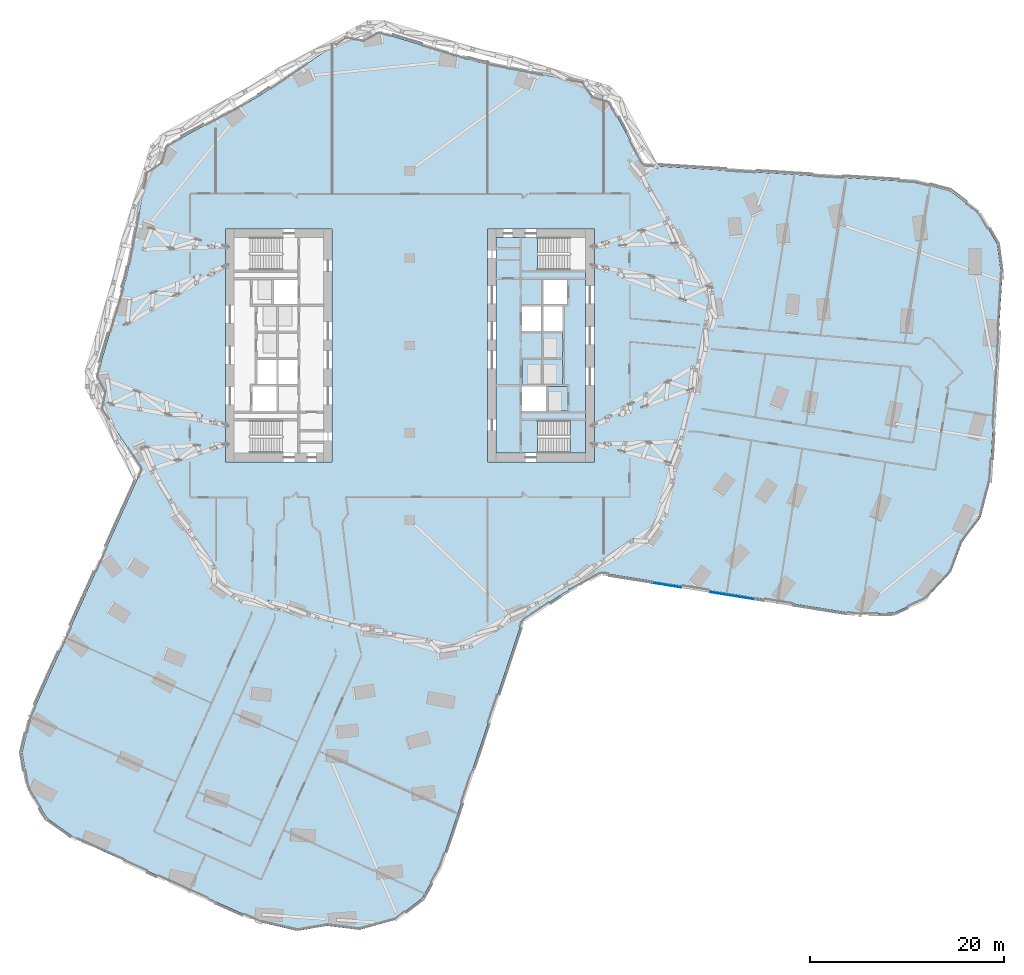
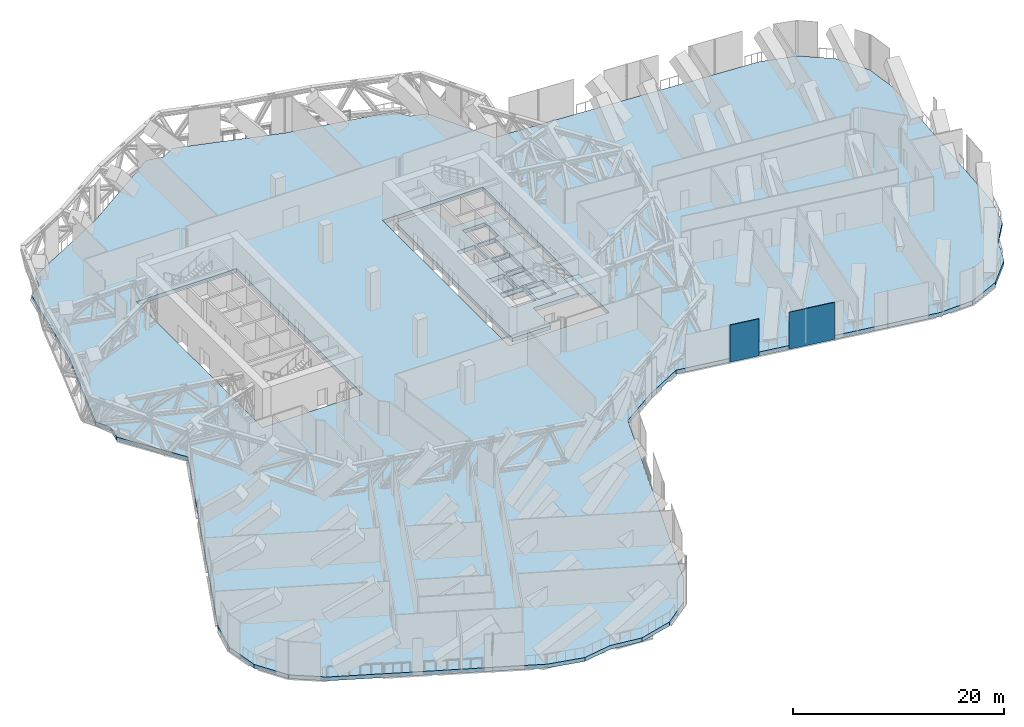
# One storey, part 23 of 39: 7 slabs, 2 plates, 2 elements without a shape of their own.
"""IFC4 building model written with IfcOpenShell, lengths in metres."""

from ifc_helpers import new_model, si_unit, direction, frame, origin, origin_2d, place, context, subcontext, project, spatial, polyline, rectangle, outline, extrude, material, layer, layer_set, type_object, element, aggregate, save


model = new_model("IFC4")

# Units and contexts
model_context = context("Model", 3, precision=1e-05, world=origin(), true_north=direction((0.0, 1.0)))
body_context = subcontext(model_context, "Body", "Model", "MODEL_VIEW")
ifc_project = project(units=[si_unit("LENGTHUNIT", "METRE"), si_unit("AREAUNIT", "SQUARE_METRE"), si_unit("VOLUMEUNIT", "CUBIC_METRE"), si_unit("PLANEANGLEUNIT", "RADIAN"), si_unit("MASSUNIT", "GRAM", prefix="KILO")], contexts=[model_context])

# Site, building, storey
site_placement = place(None, origin())
site = spatial("IfcSite", under=ifc_project, at=site_placement, CompositionType="ELEMENT")
building_placement = place(site_placement, origin())
building = spatial("IfcBuilding", under=site, at=building_placement, Name="Orlundy Tower", CompositionType="ELEMENT")
storey_placement = place(building_placement, frame((0.0, 0.0, 141.199951171875)))
storey = spatial("IfcBuildingStorey", under=building, at=storey_placement, Name="L36", CompositionType="ELEMENT", Elevation=141.199951171875)

# Curtain wall, plates
ifc_material_1 = material(Name="Aluminium bronze anodised", Category="aluminium")
curtain_wall_type = type_object("IfcCurtainWallType", Name="CW4 wall", PredefinedType="NOTDEFINED", material=ifc_material_1)
curtain_wall_placement = place(storey_placement, origin())
curtain_wall = element("IfcCurtainWall", 1, at=curtain_wall_placement, inside=storey, type_object=curtain_wall_type, Name="CW4 run 041", PredefinedType="NOTDEFINED")
ifc_material_2 = material(Name="Louvre aluminium bronze anodised", Category="aluminium")
ifc_layer_1 = layer(ifc_material_2, 0.06005859375)
ifc_layer_set_1 = layer_set([ifc_layer_1], Name="CW4 louvre panel 60")
plate_type = type_object("IfcPlateType", Name="CW4 louvre panel 60", PredefinedType="CURTAIN_PANEL", material=ifc_layer_set_1)
plate_1_placement = place(storey_placement, frame((33.255126953125, -25.79736328125, -0.2998046875), z_axis=(0.0, 0.0, 1.0), x_axis=(-0.987228432558, 0.159311085453, 0.0)))
plate_1 = element("IfcPlate", 2, at=plate_1_placement, type_object=plate_type, Name="CW4 louvre", PredefinedType="CURTAIN_PANEL", context=body_context, shape_type="SweptSolid", body=[
    extrude(rectangle(XDim=4.631591796875, YDim=0.06005859375, at=origin_2d()), origin(), (0.0, 0.0, 1.0), 4.300048828125),
])
plate_2_placement = place(storey_placement, frame((26.49267578125, -24.7060546875, -0.2998046875), z_axis=(0.0, 0.0, 1.0), x_axis=(-0.987228432558, 0.159311085453, 0.0)))
plate_2 = element("IfcPlate", 3, at=plate_2_placement, type_object=plate_type, Name="CW4 louvre", PredefinedType="CURTAIN_PANEL", context=body_context, shape_type="SweptSolid", body=[
    extrude(rectangle(XDim=2.975341796875, YDim=0.06005859375, at=origin_2d()), origin(), (0.0, 0.0, 1.0), 4.300048828125),
])
aggregate(curtain_wall, [plate_1, plate_2])

# Slab
ifc_material_3 = material(Name="Concrete C50/60", Category="concrete")
ifc_layer_2 = layer(ifc_material_3, 0.449951171875)
ifc_layer_set_2 = layer_set([ifc_layer_2], Name="Core Floor Slab 450")
slab_type_1 = type_object("IfcSlabType", Name="Core Floor Slab 450", PredefinedType="FLOOR", material=ifc_layer_set_2)
slab_1_placement = place(storey_placement, frame((0.0, 0.0, -0.449951171875)))
element("IfcSlab", 4, at=slab_1_placement, inside=storey, type_object=slab_type_1, Name="Core floor E27", PredefinedType="FLOOR", context=body_context, shape_type="SweptSolid", body=[
    extrude(outline(polyline([(18.10009765625, -7.75), (13.14501953125, -7.75), (13.14501953125, -11.10009765625), (8.89990234375, -11.10009765625), (8.89990234375, 11.10009765625), (13.14501953125, 11.10009765625), (13.14501953125, 7.75), (18.10009765625, 7.75), (18.10009765625, -7.75)]), holes=[polyline([(16.239990234375, 4.22509765625), (16.239990234375, 6.77490234375), (13.739990234375, 6.77490234375), (13.739990234375, 4.22509765625), (16.239990234375, 4.22509765625)]), polyline([(11.5400390625, 1.47509765625), (13.5400390625, 1.47509765625), (13.5400390625, 4.02490234375), (11.5400390625, 4.02490234375), (11.5400390625, 1.47509765625)]), polyline([(13.739990234375, 4.02490234375), (13.739990234375, 1.47509765625), (15.739990234375, 1.47509765625), (15.739990234375, 4.02490234375), (13.739990234375, 4.02490234375)]), polyline([(15.739990234375, 1.27490234375), (13.739990234375, 1.27490234375), (13.739990234375, -1.27490234375), (15.739990234375, -1.27490234375), (15.739990234375, 1.27490234375)]), polyline([(13.5400390625, -4.02490234375), (13.5400390625, -1.47509765625), (11.5400390625, -1.47509765625), (11.5400390625, -4.02490234375), (13.5400390625, -4.02490234375)]), polyline([(13.739990234375, -4.02490234375), (15.739990234375, -4.02490234375), (15.739990234375, -1.47509765625), (13.739990234375, -1.47509765625), (13.739990234375, -4.02490234375)]), polyline([(11.5400390625, -4.22509765625), (11.5400390625, -6.77490234375), (14.0400390625, -6.77490234375), (14.0400390625, -4.22509765625), (11.5400390625, -4.22509765625)]), polyline([(16.239990234375, -4.22509765625), (14.239990234375, -4.22509765625), (14.239990234375, -6.77490234375), (16.239990234375, -6.77490234375), (16.239990234375, -4.22509765625)])]), origin(), (0.0, 0.0, 1.0), 0.449951171875),
])

# Stair, slab
ifc_material_4 = material(Name="Concrete C50/60", Category="concrete")
stair_type = type_object("IfcStairType", Name="Exit Stair 26 risers", PredefinedType="HALF_TURN_STAIR", material=ifc_material_4)
stair_placement = place(storey_placement, origin())
stair = element("IfcStair", 5, at=stair_placement, inside=storey, type_object=stair_type, Name="L36 Exit Stair ST-E1", PredefinedType="HALF_TURN_STAIR")
ifc_material_5 = material(Name="Concrete C50/60", Category="concrete")
ifc_layer_3 = layer(ifc_material_5, 0.199951171875)
ifc_layer_set_3 = layer_set([ifc_layer_3], Name="Exit Stair Landing")
slab_type_2 = type_object("IfcSlabType", Name="Exit Stair Landing", PredefinedType="LANDING", material=ifc_layer_set_3)
slab_2_placement = place(storey_placement, frame((0.0, 0.0, 2.0)))
slab_2 = element("IfcSlab", 6, at=slab_2_placement, type_object=slab_type_2, Name="ST-E1 landing 1", PredefinedType="LANDING", context=body_context, shape_type="SweptSolid", body=[
    extrude(outline(polyline([(16.5, -11.10009765625), (18.10009765625, -11.10009765625), (18.10009765625, -7.75), (16.5, -7.75), (16.5, -11.10009765625)])), origin(), (0.0, 0.0, 1.0), 0.199951171875),
])
aggregate(stair, [slab_2])

# Slabs
ifc_material_6 = material(Name="Concrete C50/60", Category="concrete")
ifc_layer_4 = layer(ifc_material_6, 0.25)
ifc_layer_set_4 = layer_set([ifc_layer_4], Name="Lift Pit Slab")
slab_type_3 = type_object("IfcSlabType", Name="Lift Pit Slab", PredefinedType="BASESLAB", material=ifc_layer_set_4)
slab_3_placement = place(storey_placement, frame((0.0, 0.0, -0.75)))
element("IfcSlab", 7, at=slab_3_placement, inside=storey, type_object=slab_type_3, Name="Lift pit floor LP-15", PredefinedType="BASESLAB", context=body_context, shape_type="SweptSolid", body=[
    extrude(outline(polyline([(13.739990234375, 1.27490234375), (15.739990234375, 1.27490234375), (15.739990234375, -1.27490234375), (13.739990234375, -1.27490234375), (13.739990234375, 1.27490234375)])), origin(), (0.0, 0.0, 1.0), 0.25),
])
slab_4_placement = place(storey_placement, frame((0.0, 0.0, -0.75)))
element("IfcSlab", 8, at=slab_4_placement, inside=storey, type_object=slab_type_3, Name="Lift pit floor LP-16", PredefinedType="BASESLAB", context=body_context, shape_type="SweptSolid", body=[
    extrude(outline(polyline([(11.5400390625, -1.47509765625), (13.5400390625, -1.47509765625), (13.5400390625, -4.02490234375), (11.5400390625, -4.02490234375), (11.5400390625, -1.47509765625)])), origin(), (0.0, 0.0, 1.0), 0.25),
])
slab_5_placement = place(storey_placement, frame((0.0, 0.0, -0.75)))
element("IfcSlab", 9, at=slab_5_placement, inside=storey, type_object=slab_type_3, Name="Lift pit floor LP-17", PredefinedType="BASESLAB", context=body_context, shape_type="SweptSolid", body=[
    extrude(outline(polyline([(13.739990234375, -1.47509765625), (15.739990234375, -1.47509765625), (15.739990234375, -4.02490234375), (13.739990234375, -4.02490234375), (13.739990234375, -1.47509765625)])), origin(), (0.0, 0.0, 1.0), 0.25),
])
slab_6_placement = place(storey_placement, frame((0.0, 0.0, -0.75)))
element("IfcSlab", 10, at=slab_6_placement, inside=storey, type_object=slab_type_3, Name="Lift pit floor LP-18", PredefinedType="BASESLAB", context=body_context, shape_type="SweptSolid", body=[
    extrude(outline(polyline([(14.239990234375, -4.22509765625), (16.239990234375, -4.22509765625), (16.239990234375, -6.77490234375), (14.239990234375, -6.77490234375), (14.239990234375, -4.22509765625)])), origin(), (0.0, 0.0, 1.0), 0.25),
])
ifc_material_7 = material(Name="Concrete C45/55", Category="concrete")
ifc_layer_5 = layer(ifc_material_7, 0.449951171875)
ifc_layer_set_5 = layer_set([ifc_layer_5], Name="PLANT FLOOR SLAB 450 C45/55")
slab_type_4 = type_object("IfcSlabType", Name="PLANT FLOOR SLAB 450 C45/55", PredefinedType="FLOOR", material=ifc_layer_set_5)
slab_7_placement = place(storey_placement, frame((0.0, 0.0, -0.449951171875)))
element("IfcSlab", 11, at=slab_7_placement, inside=storey, type_object=slab_type_4, Name="Floor slab L36", PredefinedType="FLOOR", context=body_context, shape_type="SweptSolid", body=[
    extrude(outline(polyline([(3.10107421875, -53.761962890625), (1.261962890625, -56.97998046875), (-1.6689453125, -59.25), (-5.2451171875, -60.22509765625), (-8.51708984375, -59.80908203125), (-11.575927734375, -60.324951171875), (-15.18798828125, -59.49609375), (-34.347900390625, -50.89892578125), (-37.368896484375, -48.7509765625), (-39.337890625, -45.610107421875), (-39.955078125, -41.955078125), (-39.1259765625, -38.342041015625), (-27.6201171875, -12.700927734375), (-31.820068359375, -6.47412109375), (-31.4951171875, -4.801025390625), (-32.303955078125, -3.300048828125), (-29.1650390625, 7.18310546875), (-27.077880859375, 17.922119140625), (-25.6650390625, 18.875), (-25.176025390625, 20.508056640625), (-15.5458984375, 25.700927734375), (-6.47412109375, 31.820068359375), (-4.801025390625, 31.4951171875), (-3.300048828125, 32.303955078125), (7.18310546875, 29.1650390625), (17.922119140625, 27.077880859375), (18.875, 25.6650390625), (20.508056640625, 25.176025390625), (24.072998046875, 18.56494140625), (52.1259765625, 16.84912109375), (55.7099609375, 15.905029296875), (58.660888671875, 13.662109375), (60.528076171875, 10.4599609375), (61.028076171875, 6.787109375), (59.74609375, -14.174072265625), (58.802001953125, -17.758056640625), (56.924072265625, -20.22802734375), (55.77392578125, -23.319091796875), (53.25, -26.032958984375), (49.8798828125, -27.574951171875), (46.175048828125, -27.7099609375), (19.73291015625, -23.443115234375), (15.544921875, -25.700927734375), (11.60009765625, -28.362060546875), (3.10107421875, -53.761962890625)]), holes=[polyline([(-8.0, -12.0), (-8.0, 12.0), (-19.0, 12.0), (-19.0, -12.0), (-8.0, -12.0)]), polyline([(19.0, -12.0), (19.0, 12.0), (8.0, 12.0), (8.0, -12.0), (19.0, -12.0)])]), origin(), (0.0, 0.0, 1.0), 0.449951171875),
])

save(model, "model.ifc")
